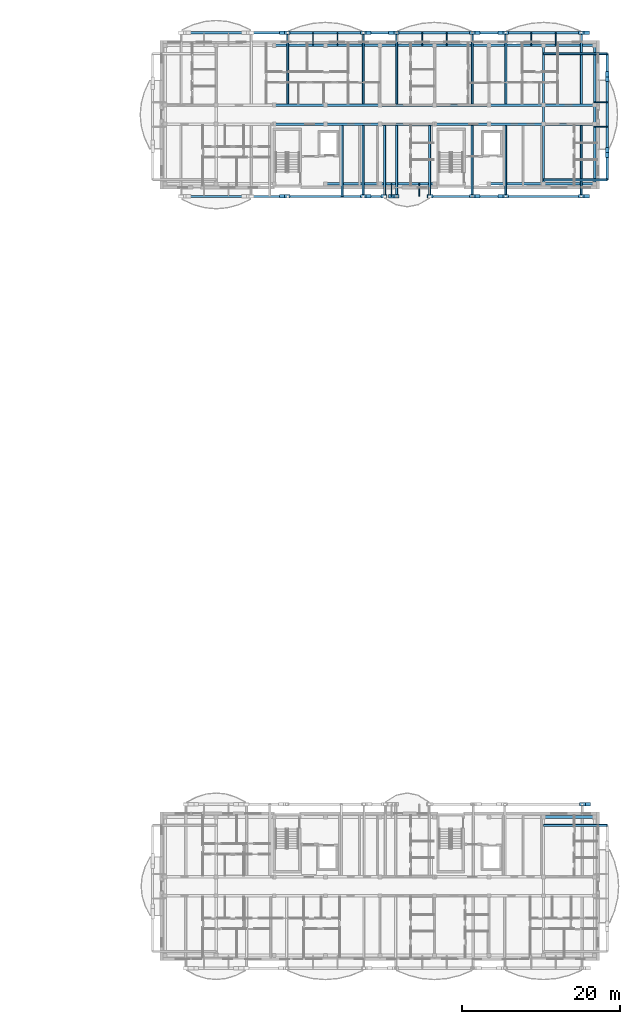
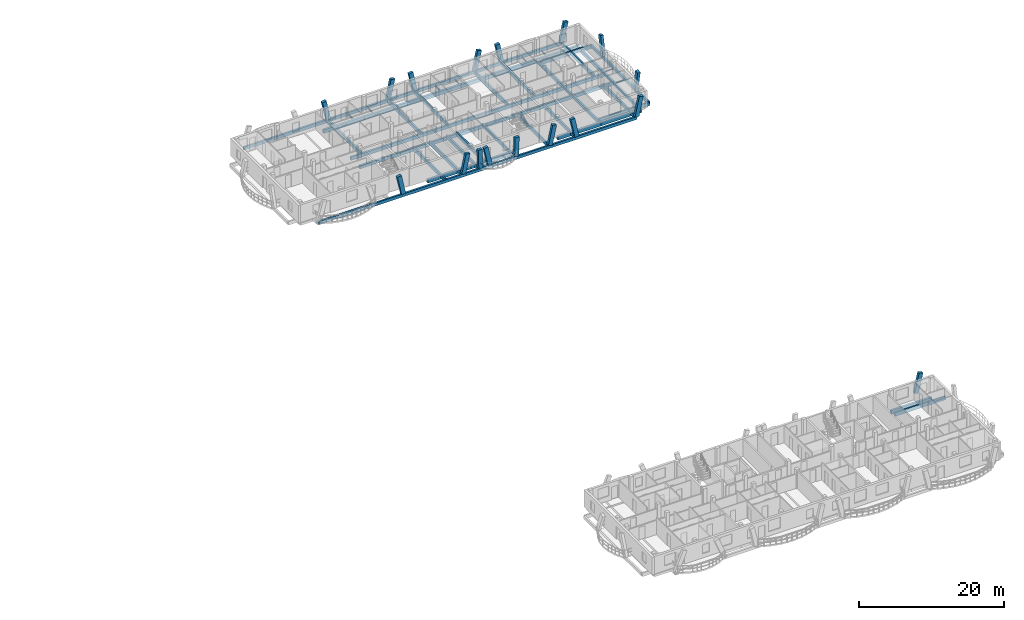
# One storey, part 8 of 50: 59 beams, 17 members.
"""IFC4 building model written with IfcOpenShell, lengths in metres."""

import ifcopenshell
import ifcopenshell.guid

model = None  # the IFC model being written
_history = None  # IfcOwnerHistory: only IFC2X3 demands one
_inside = {}  # id of a spatial element -> (the spatial element, [elements in it])
_under = {}  # id of a project, library or spatial element -> (it, [spatial elements below it])
_declared = {}  # id of a project -> (the project, [libraries it declares])
_typed = {}  # id of a type object -> (the type object, [elements of that type])
_made_of = {}  # id of a material, layer set ... -> (it, [elements and type objects made of it])


def new_model(schema):
    """Start an empty IFC model of exactly this schema.

    Asked for "IFC4X3", IfcOpenShell would pick the latest addendum, in which some entities
    have other attributes; the version numbers below select the first issue.
    IFC2X3 requires an IfcOwnerHistory on every rooted entity: one is made here for all.
    """
    global model, _history
    if schema == "IFC4X3":
        model = ifcopenshell.file(schema_version=(4, 3, 0, 0))
    else:
        model = ifcopenshell.file(schema=schema)
    _inside.clear()
    _under.clear()
    _declared.clear()
    _typed.clear()
    _made_of.clear()
    _history = None
    if model.schema == "IFC2X3":
        org = make("IfcOrganization", Name="unknown")
        user = make(
            "IfcPersonAndOrganization",
            ThePerson=make("IfcPerson", FamilyName="unknown"),
            TheOrganization=org,
        )
        app = make(
            "IfcApplication",
            ApplicationDeveloper=org,
            Version="unknown",
            ApplicationFullName="unknown",
            ApplicationIdentifier="unknown",
        )
        _history = make(
            "IfcOwnerHistory",
            OwningUser=user,
            OwningApplication=app,
            ChangeAction="ADDED",
            CreationDate=0,
        )
    return model


def make(cls, **values):
    """One entity of the class cls with the attributes given. An attribute that is None is left unset."""
    return model.create_entity(
        cls, **{name: value for name, value in values.items() if value is not None}
    )


def rooted(cls, **values):
    """An entity with a GlobalId (a new one), such as an element, a storey or a relation."""
    return make(cls, GlobalId=ifcopenshell.guid.new(), OwnerHistory=_history, **values)


def si_unit(unit_type, name, prefix=None):
    """IfcSIUnit, for example si_unit("LENGTHUNIT", "METRE", prefix="MILLI")."""
    return make("IfcSIUnit", UnitType=unit_type, Prefix=prefix, Name=name)


def assignment(units):
    """IfcUnitAssignment: the units of a project."""
    return None if units is None else make("IfcUnitAssignment", Units=units)


def point(xyz):
    """IfcCartesianPoint."""
    return None if xyz is None else make("IfcCartesianPoint", Coordinates=xyz)


def direction(xyz):
    """IfcDirection."""
    return None if xyz is None else make("IfcDirection", DirectionRatios=xyz)


def frame(location, z_axis=None, x_axis=None):
    """IfcAxis2Placement3D, a coordinate frame: its origin and axes. An axis left out is left unset."""
    return make(
        "IfcAxis2Placement3D",
        Location=point(location),
        Axis=direction(z_axis),
        RefDirection=direction(x_axis),
    )


def frame_2d(location, x_axis=None):
    """IfcAxis2Placement2D, a coordinate frame in the plane: its origin and x axis."""
    return make(
        "IfcAxis2Placement2D", Location=point(location), RefDirection=direction(x_axis)
    )


def origin():
    """The frame at (0, 0, 0) with its axes left unset."""
    return frame((0.0, 0.0, 0.0))


def origin_2d():
    """The frame at (0, 0) in the plane with its x axis left unset."""
    return frame_2d((0.0, 0.0))


def place(relative_to, where):
    """IfcLocalPlacement: puts the frame where relative to a parent placement (None: the world)."""
    return make(
        "IfcLocalPlacement", PlacementRelTo=relative_to, RelativePlacement=where
    )


def context(
    kind, dimensions, precision=None, world=None, true_north=None, identifier=None
):
    """IfcGeometricRepresentationContext, for example the 3D "Model" context."""
    return make(
        "IfcGeometricRepresentationContext",
        ContextIdentifier=identifier,
        ContextType=kind,
        CoordinateSpaceDimension=dimensions,
        Precision=precision,
        WorldCoordinateSystem=world,
        TrueNorth=true_north,
    )


def subcontext(parent, identifier, kind, view, scale=None):
    """IfcGeometricRepresentationSubContext, for example "Body" below "Model"."""
    return make(
        "IfcGeometricRepresentationSubContext",
        ContextIdentifier=identifier,
        ContextType=kind,
        ParentContext=parent,
        TargetScale=scale,
        TargetView=view,
    )


def project(units=None, contexts=None):
    """IfcProject with its units and contexts."""
    return rooted(
        "IfcProject",
        Name="project",
        RepresentationContexts=contexts,
        UnitsInContext=assignment(units),
    )


def spatial(cls, under=None, at=None, **own):
    """A site, building, storey or space (cls), placed at a placement, below another one or the project."""
    s = rooted(cls, ObjectPlacement=at, **own)
    if under is not None:
        _under.setdefault(under.id(), (under, []))[1].append(s)
    return s


def profile(cls, at=None, kind="AREA", **sizes):
    """A parametric profile (cls). Its sizes go by their IFC names, for example OverallWidth=200.0."""
    return make(cls, ProfileType=kind, Position=at, **sizes)


def rectangle(**sizes):
    """IfcRectangleProfileDef."""
    return profile("IfcRectangleProfileDef", **sizes)


def i_section(**sizes):
    """IfcIShapeProfileDef."""
    return profile("IfcIShapeProfileDef", **sizes)


def extrude(swept, where, along, depth):
    """IfcExtrudedAreaSolid: the profile swept, set in the frame where, extruded along a direction by depth."""
    return make(
        "IfcExtrudedAreaSolid",
        SweptArea=swept,
        Position=where,
        ExtrudedDirection=direction(along),
        Depth=depth,
    )


def shape(context_of_items, identifier, shape_type, items):
    """IfcShapeRepresentation: the items that make up one representation, for example the "Body"."""
    return make(
        "IfcShapeRepresentation",
        ContextOfItems=context_of_items,
        RepresentationIdentifier=identifier,
        RepresentationType=shape_type,
        Items=items,
    )


def material(Name=None, Category=None):
    """IfcMaterial."""
    return make("IfcMaterial", Name=Name, Category=Category)


def material_profile(
    of_material, cross_section, Name=None, Category=None, Priority=None
):
    """IfcMaterialProfile: a cross section and its material."""
    return make(
        "IfcMaterialProfile",
        Name=Name,
        Material=of_material,
        Profile=cross_section,
        Priority=Priority,
        Category=Category,
    )


def profile_set(profiles, Name=None, composite=None):
    """IfcMaterialProfileSet."""
    return make(
        "IfcMaterialProfileSet",
        Name=Name,
        MaterialProfiles=profiles,
        CompositeProfile=composite,
    )


def made_of(thing, what):
    """Note that an element or type object is made of a material, layer set ...; save() writes the relation."""
    if what is not None:
        _made_of.setdefault(what.id(), (what, []))[1].append(thing)
    return thing


def type_object(cls, material=None, **own):
    """A type object (cls), such as IfcWallType, which elements share."""
    return made_of(rooted(cls, **own), material)


def element(
    cls,
    number,
    at=None,
    inside=None,
    cuts=None,
    type_object=None,
    material=None,
    context=None,
    identifier="Body",
    shape_type=None,
    held_by="IfcProductDefinitionShape",
    body=None,
    shapes=None,
    **own,
):
    """One element of the class cls, such as IfcWall. Its Tag is "e" and its number.

    at: its placement. inside: the storey or other place that contains it. cuts: it is an
    opening in that element (IfcRelVoidsElement). A single representation is given by context,
    identifier, shape_type and body (its items); several are given by shapes. held_by: the class
    of the entity that holds the representations. save() writes the other relations.
    """
    e = rooted(cls, Tag="e%d" % number, ObjectPlacement=at, **own)
    if body is not None:
        shapes = [shape(context, identifier, shape_type, body)]
    if shapes is not None:
        e.Representation = make(held_by, Representations=shapes)
    if inside is not None:
        _inside.setdefault(inside.id(), (inside, []))[1].append(e)
    if cuts is not None:
        rooted(
            "IfcRelVoidsElement", RelatingBuildingElement=cuts, RelatedOpeningElement=e
        )
    if type_object is not None:
        _typed.setdefault(type_object.id(), (type_object, []))[1].append(e)
    return made_of(e, material)


def aggregate(whole, parts):
    """IfcRelAggregates: a whole, such as a stair, and the parts it consists of."""
    return rooted("IfcRelAggregates", RelatingObject=whole, RelatedObjects=parts)


def save(model, path):
    """Write the relations noted so far, then the file.

    IfcRelAggregates (storeys below a building ...), IfcRelContainedInSpatialStructure (elements
    in a storey), IfcRelDefinesByType, IfcRelAssociatesMaterial and IfcRelDeclares: one each for
    every whole, place, type object, material and project.
    """
    for whole, parts in _under.values():
        aggregate(whole, parts)
    for where, things in _inside.values():
        rooted(
            "IfcRelContainedInSpatialStructure",
            RelatedElements=things,
            RelatingStructure=where,
        )
    for kind, things in _typed.values():
        rooted("IfcRelDefinesByType", RelatedObjects=things, RelatingType=kind)
    for what, things in _made_of.values():
        rooted("IfcRelAssociatesMaterial", RelatedObjects=things, RelatingMaterial=what)
    for by, libraries in _declared.values():
        rooted("IfcRelDeclares", RelatingContext=by, RelatedDefinitions=libraries)
    model.write(path)


model = new_model("IFC4")

# Units and contexts
model_context = context("Model", 3, precision=1e-05, world=origin(), true_north=direction((0.0, 1.0)))
body_context = subcontext(model_context, "Body", "Model", "MODEL_VIEW")
ifc_project = project(units=[si_unit("LENGTHUNIT", "METRE"), si_unit("AREAUNIT", "SQUARE_METRE"), si_unit("VOLUMEUNIT", "CUBIC_METRE"), si_unit("PLANEANGLEUNIT", "RADIAN"), si_unit("MASSUNIT", "GRAM", prefix="KILO")], contexts=[model_context])

# Site, building, storey
site_placement = place(None, origin())
site = spatial("IfcSite", under=ifc_project, at=site_placement, CompositionType="ELEMENT")
building_placement = place(site_placement, origin())
building = spatial("IfcBuilding", under=site, at=building_placement, Name="Zavelmont Quarter", CompositionType="ELEMENT")
storey_placement = place(building_placement, frame((0.0, 0.0, 11.199951171875)))
storey = spatial("IfcBuildingStorey", under=building, at=storey_placement, Name="L03", CompositionType="ELEMENT", Elevation=11.199951171875)

# Beams
ifc_material_1 = material(Name="Concrete C35/45", Category="concrete")
ifc_material_profile_1 = material_profile(ifc_material_1, rectangle(XDim=0.35009765625, YDim=0.60009765625, at=origin_2d()), Name="RC350X600")
ifc_profile_set_1 = profile_set([ifc_material_profile_1], Name="Concrete C35/45")
beam_type_1 = type_object("IfcBeamType", Name="BM01", PredefinedType="SPANDREL", material=ifc_profile_set_1)
beam_1_placement = place(storey_placement, frame((133.5, 98.0400390625, -0.56005859375), z_axis=(1.0, 0.0, 0.0), x_axis=(0.0, 1.0, 0.0)))
element("IfcBeam", 1, at=beam_1_placement, inside=storey, type_object=beam_type_1, Name="L03 beam BM01 20/P to 21/P", PredefinedType="SPANDREL", context=body_context, shape_type="SweptSolid", body=[
    extrude(rectangle(XDim=0.35009765625, YDim=0.60009765625, at=origin_2d()), origin(), (0.0, 0.0, 1.0), 6.89990234375),
])
for number, where, z_axis, x_axis, name in (
    (2, (140.39990234375, 98.0400390625, -0.56005859375), (1.0, 0.0, 0.0), (0.0, 1.0, 0.0), "L03 beam BM01 21/P to 22/P"),
    (3, (154.199951171875, 98.0400390625, -0.56005859375), (1.0, 0.0, 0.0), (0.0, 1.0, 0.0), "L03 beam BM01 23/P to 24/P"),
):
    element("IfcBeam", number, at=place(storey_placement, frame(where, z_axis=z_axis, x_axis=x_axis)), inside=storey, type_object=beam_type_1, Name=name, PredefinedType="SPANDREL", context=body_context, shape_type="SweptSolid", body=[
        extrude(rectangle(XDim=0.35009765625, YDim=0.60009765625, at=origin_2d()), origin(), (0.0, 0.0, 1.0), 6.900146484375),
    ])
for number, where, z_axis, x_axis, name in (
    (4, (161.10009765625, 98.0400390625, -0.56005859375), (1.0, 0.0, 0.0), (0.0, 1.0, 0.0), "L03 beam BM01 24/P to 25/P"),
    (5, (127.0400390625, 115.56005859375, -0.56005859375), (1.0, 0.0, 0.0), (0.0, 1.0, 0.0), "L03 beam BM01 19/S to 20/S"),
):
    element("IfcBeam", number, at=place(storey_placement, frame(where, z_axis=z_axis, x_axis=x_axis)), inside=storey, type_object=beam_type_1, Name=name, PredefinedType="SPANDREL", context=body_context, shape_type="SweptSolid", body=[
        extrude(rectangle(XDim=0.35009765625, YDim=0.60009765625, at=origin_2d()), origin(), (0.0, 0.0, 1.0), 6.4599609375),
    ])
beam_2_placement = place(storey_placement, frame((133.5, 115.56005859375, -0.56005859375), z_axis=(1.0, 0.0, 0.0), x_axis=(0.0, 1.0, 0.0)))
element("IfcBeam", 6, at=beam_2_placement, inside=storey, type_object=beam_type_1, Name="L03 beam BM01 20/S to 21/S", PredefinedType="SPANDREL", context=body_context, shape_type="SweptSolid", body=[
    extrude(rectangle(XDim=0.35009765625, YDim=0.60009765625, at=origin_2d()), origin(), (0.0, 0.0, 1.0), 6.89990234375),
])
beam_3_placement = place(storey_placement, frame((140.39990234375, 115.56005859375, -0.56005859375), z_axis=(1.0, 0.0, 0.0), x_axis=(0.0, 1.0, 0.0)))
element("IfcBeam", 7, at=beam_3_placement, inside=storey, type_object=beam_type_1, Name="L03 beam BM01 21/S to 22/S", PredefinedType="SPANDREL", context=body_context, shape_type="SweptSolid", body=[
    extrude(rectangle(XDim=0.35009765625, YDim=0.60009765625, at=origin_2d()), origin(), (0.0, 0.0, 1.0), 6.900146484375),
])
beam_4_placement = place(storey_placement, frame((147.300048828125, 115.56005859375, -0.56005859375), z_axis=(1.0, 0.0, 0.0), x_axis=(0.0, 1.0, 0.0)))
element("IfcBeam", 8, at=beam_4_placement, inside=storey, type_object=beam_type_1, Name="L03 beam BM01 22/S to 23/S", PredefinedType="SPANDREL", context=body_context, shape_type="SweptSolid", body=[
    extrude(rectangle(XDim=0.35009765625, YDim=0.60009765625, at=origin_2d()), origin(), (0.0, 0.0, 1.0), 6.89990234375),
])
beam_5_placement = place(storey_placement, frame((154.199951171875, 115.56005859375, -0.56005859375), z_axis=(1.0, 0.0, 0.0), x_axis=(0.0, 1.0, 0.0)))
element("IfcBeam", 9, at=beam_5_placement, inside=storey, type_object=beam_type_1, Name="L03 beam BM01 23/S to 24/S", PredefinedType="SPANDREL", context=body_context, shape_type="SweptSolid", body=[
    extrude(rectangle(XDim=0.35009765625, YDim=0.60009765625, at=origin_2d()), origin(), (0.0, 0.0, 1.0), 6.900146484375),
])
for number, where, z_axis, x_axis, name in (
    (10, (161.10009765625, 115.56005859375, -0.56005859375), (1.0, 0.0, 0.0), (0.0, 1.0, 0.0), "L03 beam BM01 24/S to 25/S"),
    (11, (161.10009765625, 17.9599609375, -0.56005859375), (1.0, 0.0, 0.0), (0.0, 1.0, 0.0), "L03 beam BM01 24/D to 25/D"),
):
    element("IfcBeam", number, at=place(storey_placement, frame(where, z_axis=z_axis, x_axis=x_axis)), inside=storey, type_object=beam_type_1, Name=name, PredefinedType="SPANDREL", context=body_context, shape_type="SweptSolid", body=[
        extrude(rectangle(XDim=0.35009765625, YDim=0.60009765625, at=origin_2d()), origin(), (0.0, 0.0, 1.0), 6.4599609375),
    ])
ifc_material_profile_2 = material_profile(ifc_material_1, rectangle(XDim=0.300048828125, YDim=0.550048828125, at=origin_2d()), Name="RC300X550")
ifc_profile_set_2 = profile_set([ifc_material_profile_2], Name="Concrete C35/45")
beam_type_2 = type_object("IfcBeamType", Name="BM02", PredefinedType="SPANDREL", material=ifc_profile_set_2)
beam_6_placement = place(storey_placement, frame((127.0400390625, 105.60009765625, -0.534912109375), z_axis=(1.0, 0.0, 0.0), x_axis=(0.0, 1.0, 0.0)))
element("IfcBeam", 12, at=beam_6_placement, inside=storey, type_object=beam_type_2, Name="L03 beam BM02 19/Q to 20/Q", PredefinedType="SPANDREL", context=body_context, shape_type="SweptSolid", body=[
    extrude(rectangle(XDim=0.300048828125, YDim=0.550048828125, at=origin_2d()), origin(), (0.0, 0.0, 1.0), 6.4599609375),
])
beam_7_placement = place(storey_placement, frame((133.5, 105.60009765625, -0.534912109375), z_axis=(1.0, 0.0, 0.0), x_axis=(0.0, 1.0, 0.0)))
element("IfcBeam", 13, at=beam_7_placement, inside=storey, type_object=beam_type_2, Name="L03 beam BM02 20/Q to 21/Q", PredefinedType="SPANDREL", context=body_context, shape_type="SweptSolid", body=[
    extrude(rectangle(XDim=0.300048828125, YDim=0.550048828125, at=origin_2d()), origin(), (0.0, 0.0, 1.0), 6.89990234375),
])
beam_8_placement = place(storey_placement, frame((140.39990234375, 105.60009765625, -0.534912109375), z_axis=(1.0, 0.0, 0.0), x_axis=(0.0, 1.0, 0.0)))
element("IfcBeam", 14, at=beam_8_placement, inside=storey, type_object=beam_type_2, Name="L03 beam BM02 21/Q to 22/Q", PredefinedType="SPANDREL", context=body_context, shape_type="SweptSolid", body=[
    extrude(rectangle(XDim=0.300048828125, YDim=0.550048828125, at=origin_2d()), origin(), (0.0, 0.0, 1.0), 6.900146484375),
])
beam_9_placement = place(storey_placement, frame((147.300048828125, 105.60009765625, -0.534912109375), z_axis=(1.0, 0.0, 0.0), x_axis=(0.0, 1.0, 0.0)))
element("IfcBeam", 15, at=beam_9_placement, inside=storey, type_object=beam_type_2, Name="L03 beam BM02 22/Q to 23/Q", PredefinedType="SPANDREL", context=body_context, shape_type="SweptSolid", body=[
    extrude(rectangle(XDim=0.300048828125, YDim=0.550048828125, at=origin_2d()), origin(), (0.0, 0.0, 1.0), 6.89990234375),
])
beam_10_placement = place(storey_placement, frame((154.199951171875, 105.60009765625, -0.534912109375), z_axis=(1.0, 0.0, 0.0), x_axis=(0.0, 1.0, 0.0)))
element("IfcBeam", 16, at=beam_10_placement, inside=storey, type_object=beam_type_2, Name="L03 beam BM02 23/Q to 24/Q", PredefinedType="SPANDREL", context=body_context, shape_type="SweptSolid", body=[
    extrude(rectangle(XDim=0.300048828125, YDim=0.550048828125, at=origin_2d()), origin(), (0.0, 0.0, 1.0), 6.900146484375),
])
for number, where, z_axis, x_axis, name in (
    (17, (161.10009765625, 105.60009765625, -0.534912109375), (1.0, 0.0, 0.0), (0.0, 1.0, 0.0), "L03 beam BM02 24/Q to 25/Q"),
    (18, (127.0400390625, 108.0, -0.534912109375), (1.0, 0.0, 0.0), (0.0, 1.0, 0.0), "L03 beam BM02 19/R to 20/R"),
):
    element("IfcBeam", number, at=place(storey_placement, frame(where, z_axis=z_axis, x_axis=x_axis)), inside=storey, type_object=beam_type_2, Name=name, PredefinedType="SPANDREL", context=body_context, shape_type="SweptSolid", body=[
        extrude(rectangle(XDim=0.300048828125, YDim=0.550048828125, at=origin_2d()), origin(), (0.0, 0.0, 1.0), 6.4599609375),
    ])
beam_11_placement = place(storey_placement, frame((133.5, 108.0, -0.534912109375), z_axis=(1.0, 0.0, 0.0), x_axis=(0.0, 1.0, 0.0)))
element("IfcBeam", 19, at=beam_11_placement, inside=storey, type_object=beam_type_2, Name="L03 beam BM02 20/R to 21/R", PredefinedType="SPANDREL", context=body_context, shape_type="SweptSolid", body=[
    extrude(rectangle(XDim=0.300048828125, YDim=0.550048828125, at=origin_2d()), origin(), (0.0, 0.0, 1.0), 6.89990234375),
])
beam_12_placement = place(storey_placement, frame((140.39990234375, 108.0, -0.534912109375), z_axis=(1.0, 0.0, 0.0), x_axis=(0.0, 1.0, 0.0)))
element("IfcBeam", 20, at=beam_12_placement, inside=storey, type_object=beam_type_2, Name="L03 beam BM02 21/R to 22/R", PredefinedType="SPANDREL", context=body_context, shape_type="SweptSolid", body=[
    extrude(rectangle(XDim=0.300048828125, YDim=0.550048828125, at=origin_2d()), origin(), (0.0, 0.0, 1.0), 6.900146484375),
])
beam_13_placement = place(storey_placement, frame((147.300048828125, 108.0, -0.534912109375), z_axis=(1.0, 0.0, 0.0), x_axis=(0.0, 1.0, 0.0)))
element("IfcBeam", 21, at=beam_13_placement, inside=storey, type_object=beam_type_2, Name="L03 beam BM02 22/R to 23/R", PredefinedType="SPANDREL", context=body_context, shape_type="SweptSolid", body=[
    extrude(rectangle(XDim=0.300048828125, YDim=0.550048828125, at=origin_2d()), origin(), (0.0, 0.0, 1.0), 6.89990234375),
])
beam_14_placement = place(storey_placement, frame((154.199951171875, 108.0, -0.534912109375), z_axis=(1.0, 0.0, 0.0), x_axis=(0.0, 1.0, 0.0)))
element("IfcBeam", 22, at=beam_14_placement, inside=storey, type_object=beam_type_2, Name="L03 beam BM02 23/R to 24/R", PredefinedType="SPANDREL", context=body_context, shape_type="SweptSolid", body=[
    extrude(rectangle(XDim=0.300048828125, YDim=0.550048828125, at=origin_2d()), origin(), (0.0, 0.0, 1.0), 6.900146484375),
])
beam_15_placement = place(storey_placement, frame((161.10009765625, 108.0, -0.534912109375), z_axis=(1.0, 0.0, 0.0), x_axis=(0.0, 1.0, 0.0)))
element("IfcBeam", 23, at=beam_15_placement, inside=storey, type_object=beam_type_2, Name="L03 beam BM02 24/R to 25/R", PredefinedType="SPANDREL", context=body_context, shape_type="SweptSolid", body=[
    extrude(rectangle(XDim=0.300048828125, YDim=0.550048828125, at=origin_2d()), origin(), (0.0, 0.0, 1.0), 6.4599609375),
])
beam_16_placement = place(storey_placement, frame((161.10009765625, 98.0400390625, -0.534912109375), z_axis=(0.0, 1.0, 0.0), x_axis=(-1.0, 0.0, 0.0)))
element("IfcBeam", 24, at=beam_16_placement, inside=storey, type_object=beam_type_2, Name="L03 beam BM02 24/P to 24/Q", PredefinedType="SPANDREL", context=body_context, shape_type="SweptSolid", body=[
    extrude(rectangle(XDim=0.300048828125, YDim=0.550048828125, at=origin_2d()), origin(), (0.0, 0.0, 1.0), 7.56005859375),
])
beam_17_placement = place(storey_placement, frame((161.10009765625, 105.60009765625, -0.534912109375), z_axis=(0.0, 1.0, 0.0), x_axis=(-1.0, 0.0, 0.0)))
element("IfcBeam", 25, at=beam_17_placement, inside=storey, type_object=beam_type_2, Name="L03 beam BM02 24/Q to 24/R", PredefinedType="SPANDREL", context=body_context, shape_type="SweptSolid", body=[
    extrude(rectangle(XDim=0.300048828125, YDim=0.550048828125, at=origin_2d()), origin(), (0.0, 0.0, 1.0), 2.39990234375),
])
for number, where, z_axis, x_axis, name in (
    (26, (161.10009765625, 108.0, -0.534912109375), (0.0, 1.0, 0.0), (-1.0, 0.0, 0.0), "L03 beam BM02 24/R to 24/S"),
    (27, (167.56005859375, 98.0400390625, -0.534912109375), (0.0, 1.0, 0.0), (-1.0, 0.0, 0.0), "L03 beam BM02 25/P to 25/Q"),
):
    element("IfcBeam", number, at=place(storey_placement, frame(where, z_axis=z_axis, x_axis=x_axis)), inside=storey, type_object=beam_type_2, Name=name, PredefinedType="SPANDREL", context=body_context, shape_type="SweptSolid", body=[
        extrude(rectangle(XDim=0.300048828125, YDim=0.550048828125, at=origin_2d()), origin(), (0.0, 0.0, 1.0), 7.56005859375),
    ])
beam_18_placement = place(storey_placement, frame((167.56005859375, 105.60009765625, -0.534912109375), z_axis=(0.0, 1.0, 0.0), x_axis=(-1.0, 0.0, 0.0)))
element("IfcBeam", 28, at=beam_18_placement, inside=storey, type_object=beam_type_2, Name="L03 beam BM02 25/Q to 25/R", PredefinedType="SPANDREL", context=body_context, shape_type="SweptSolid", body=[
    extrude(rectangle(XDim=0.300048828125, YDim=0.550048828125, at=origin_2d()), origin(), (0.0, 0.0, 1.0), 2.39990234375),
])
beam_19_placement = place(storey_placement, frame((167.56005859375, 108.0, -0.534912109375), z_axis=(0.0, 1.0, 0.0), x_axis=(-1.0, 0.0, 0.0)))
element("IfcBeam", 29, at=beam_19_placement, inside=storey, type_object=beam_type_2, Name="L03 beam BM02 25/R to 25/S", PredefinedType="SPANDREL", context=body_context, shape_type="SweptSolid", body=[
    extrude(rectangle(XDim=0.300048828125, YDim=0.550048828125, at=origin_2d()), origin(), (0.0, 0.0, 1.0), 7.56005859375),
])
ifc_material_profile_3 = material_profile(ifc_material_1, rectangle(XDim=0.300048828125, YDim=0.5, at=origin_2d()), Name="RC300X500")
ifc_profile_set_3 = profile_set([ifc_material_profile_3], Name="Concrete C35/45")
beam_type_3 = type_object("IfcBeamType", Name="BM03", PredefinedType="BEAM", material=ifc_profile_set_3)
for number, where, z_axis, x_axis, name in (
    (30, (115.2470703125, 117.14990234375, -0.25), (1.0, 0.0, 0.0), (0.0, 1.0, 0.0), "L03 beam BM03 17/S to 25/S"),
    (31, (115.2470703125, 96.449951171875, -0.25), (1.0, 0.0, 0.0), (0.0, 1.0, 0.0), "L03 beam BM03 17/P to 25/P"),
):
    element("IfcBeam", number, at=place(storey_placement, frame(where, z_axis=z_axis, x_axis=x_axis)), inside=storey, type_object=beam_type_3, Name=name, PredefinedType="BEAM", context=body_context, shape_type="SweptSolid", body=[
        extrude(rectangle(XDim=0.300048828125, YDim=0.5, at=origin_2d()), origin(), (0.0, 0.0, 1.0), 50.626953125),
    ])
beam_20_placement = place(storey_placement, frame((169.14990234375, 98.550048828125, -0.25), z_axis=(0.0, 1.0, 0.0), x_axis=(-1.0, 0.0, 0.0)))
element("IfcBeam", 32, at=beam_20_placement, inside=storey, type_object=beam_type_3, Name="L03 beam BM03 25/P to 25/S", PredefinedType="BEAM", context=body_context, shape_type="SweptSolid", body=[
    extrude(rectangle(XDim=0.300048828125, YDim=0.5, at=origin_2d()), origin(), (0.0, 0.0, 1.0), 15.949951171875),
])
ifc_material_2 = material(Name="Steel S355", Category="steel")
ifc_material_profile_4 = material_profile(ifc_material_2, i_section(OverallWidth=0.110107421875, OverallDepth=0.219970703125, WebThickness=0.005859375, FlangeThickness=0.00927734375, at=origin_2d()), Name="IPE 220")
ifc_profile_set_4 = profile_set([ifc_material_profile_4], Name="Steel S355")
beam_type_4 = type_object("IfcBeamType", Name="BM15", PredefinedType="JOIST", material=ifc_profile_set_4)
for number, where, z_axis, x_axis, name in (
    (33, (131.949951171875, 115.56005859375, -0.3720703125), (0.0, 1.0, 0.0), (-1.0, 0.0, 0.0), "L03 beam BM15 20/S to 20/S"),
    (34, (135.050048828125, 115.56005859375, -0.3720703125), (0.0, 1.0, 0.0), (-1.0, 0.0, 0.0), "L03 beam BM15 20/S to 20/S"),
    (35, (145.75, 115.56005859375, -0.3720703125), (0.0, 1.0, 0.0), (-1.0, 0.0, 0.0), "L03 beam BM15 22/S to 22/S"),
    (36, (148.85009765625, 115.56005859375, -0.3720703125), (0.0, 1.0, 0.0), (-1.0, 0.0, 0.0), "L03 beam BM15 22/S to 22/S"),
    (37, (159.550048828125, 115.56005859375, -0.3720703125), (0.0, 1.0, 0.0), (-1.0, 0.0, 0.0), "L03 beam BM15 24/S to 24/S"),
    (38, (162.64990234375, 115.56005859375, -0.3720703125), (0.0, 1.0, 0.0), (-1.0, 0.0, 0.0), "L03 beam BM15 24/S to 24/S"),
    (39, (167.56005859375, 105.25, -0.3720703125), (1.0, 0.0, 0.0), (0.0, 1.0, 0.0), "L03 beam BM15 25/Q to 25/Q"),
    (40, (167.56005859375, 108.35009765625, -0.3720703125), (1.0, 0.0, 0.0), (0.0, 1.0, 0.0), "L03 beam BM15 25/R to 25/R"),
):
    element("IfcBeam", number, at=place(storey_placement, frame(where, z_axis=z_axis, x_axis=x_axis)), inside=storey, type_object=beam_type_4, Name=name, PredefinedType="JOIST", context=body_context, shape_type="SweptSolid", body=[
        extrude(i_section(OverallWidth=0.110107421875, OverallDepth=0.219970703125, WebThickness=0.005859375, FlangeThickness=0.00927734375, at=origin_2d()), origin(), (0.0, 0.0, 1.0), 1.58984375),
    ])
for number, where, z_axis, x_axis, name in (
    (41, (141.8798828125, 98.0400390625, -0.3720703125), (0.0, -1.0, 0.0), (1.0, 0.0, 0.0), "L03 beam BM15 21/P to 21/P"),
    (42, (145.39990234375, 98.0400390625, -0.3720703125), (0.0, -1.0, 0.0), (1.0, 0.0, 0.0), "L03 beam BM15 22/P to 22/P"),
):
    element("IfcBeam", number, at=place(storey_placement, frame(where, z_axis=z_axis, x_axis=x_axis)), inside=storey, type_object=beam_type_4, Name=name, PredefinedType="JOIST", context=body_context, shape_type="SweptSolid", body=[
        extrude(i_section(OverallWidth=0.110107421875, OverallDepth=0.219970703125, WebThickness=0.005859375, FlangeThickness=0.00927734375, at=origin_2d()), origin(), (0.0, 0.0, 1.0), 1.590087890625),
    ])
ifc_material_3 = material(Name="Concrete C40/50", Category="concrete")
ifc_material_profile_5 = material_profile(ifc_material_3, rectangle(XDim=0.25, YDim=0.60009765625, at=origin_2d()), Name="RC250X600")
ifc_profile_set_5 = profile_set([ifc_material_profile_5], Name="Concrete C40/50")
beam_type_5 = type_object("IfcBeamType", Name="BM18", PredefinedType="BEAM", material=ifc_profile_set_5)
for number, where, z_axis, x_axis, name in (
    (43, (128.726318359375, 108.0, -0.300048828125), (0.0, 1.0, 0.0), (-1.0, 0.0, 0.0), "L03 beam BM18 19/R to 19/S"),
    (44, (138.273681640625, 108.0, -0.300048828125), (0.0, 1.0, 0.0), (-1.0, 0.0, 0.0), "L03 beam BM18 21/R to 21/S"),
    (45, (142.5263671875, 108.0, -0.300048828125), (0.0, 1.0, 0.0), (-1.0, 0.0, 0.0), "L03 beam BM18 21/R to 21/S"),
    (46, (152.07373046875, 108.0, -0.300048828125), (0.0, 1.0, 0.0), (-1.0, 0.0, 0.0), "L03 beam BM18 23/R to 23/S"),
    (47, (156.326416015625, 108.0, -0.300048828125), (0.0, 1.0, 0.0), (-1.0, 0.0, 0.0), "L03 beam BM18 23/R to 23/S"),
    (48, (165.873779296875, 108.0, -0.300048828125), (0.0, 1.0, 0.0), (-1.0, 0.0, 0.0), "L03 beam BM18 25/R to 25/S"),
):
    element("IfcBeam", number, at=place(storey_placement, frame(where, z_axis=z_axis, x_axis=x_axis)), inside=storey, type_object=beam_type_5, Name=name, PredefinedType="BEAM", context=body_context, shape_type="SweptSolid", body=[
        extrude(rectangle(XDim=0.25, YDim=0.60009765625, at=origin_2d()), origin(), (0.0, 0.0, 1.0), 9.14990234375),
    ])
for number, where, z_axis, x_axis, name in (
    (49, (135.625, 105.60009765625, -0.300048828125), (0.0, -1.0, 0.0), (1.0, 0.0, 0.0), "L03 beam BM18 20/Q to 20/P"),
    (50, (138.273681640625, 105.60009765625, -0.300048828125), (0.0, -1.0, 0.0), (1.0, 0.0, 0.0), "L03 beam BM18 21/Q to 21/P"),
    (51, (142.5263671875, 105.60009765625, -0.300048828125), (0.0, -1.0, 0.0), (1.0, 0.0, 0.0), "L03 beam BM18 21/Q to 21/P"),
    (52, (152.07373046875, 105.60009765625, -0.300048828125), (0.0, -1.0, 0.0), (1.0, 0.0, 0.0), "L03 beam BM18 23/Q to 23/P"),
    (53, (156.326416015625, 105.60009765625, -0.300048828125), (0.0, -1.0, 0.0), (1.0, 0.0, 0.0), "L03 beam BM18 23/Q to 23/P"),
    (54, (165.873779296875, 105.60009765625, -0.300048828125), (0.0, -1.0, 0.0), (1.0, 0.0, 0.0), "L03 beam BM18 25/Q to 25/P"),
    (55, (141.004150390625, 105.60009765625, -0.300048828125), (0.0, -1.0, 0.0), (1.0, 0.0, 0.0), "L03 beam BM18 21/Q to 21/P"),
    (56, (146.69580078125, 105.60009765625, -0.300048828125), (0.0, -1.0, 0.0), (1.0, 0.0, 0.0), "L03 beam BM18 22/Q to 22/P"),
):
    element("IfcBeam", number, at=place(storey_placement, frame(where, z_axis=z_axis, x_axis=x_axis)), inside=storey, type_object=beam_type_5, Name=name, PredefinedType="BEAM", context=body_context, shape_type="SweptSolid", body=[
        extrude(rectangle(XDim=0.25, YDim=0.60009765625, at=origin_2d()), origin(), (0.0, 0.0, 1.0), 9.150146484375),
    ])
for number, where, z_axis, x_axis, name in (
    (57, (161.10009765625, 98.550048828125, -0.300048828125), (1.0, 0.0, 0.0), (0.0, 1.0, 0.0), "L03 beam BM18 24/P to 25/P"),
    (58, (161.10009765625, 114.5, -0.300048828125), (1.0, 0.0, 0.0), (0.0, 1.0, 0.0), "L03 beam BM18 24/S to 25/S"),
    (59, (161.10009765625, 16.89990234375, -0.300048828125), (1.0, 0.0, 0.0), (0.0, 1.0, 0.0), "L03 beam BM18 24/D to 25/D"),
):
    element("IfcBeam", number, at=place(storey_placement, frame(where, z_axis=z_axis, x_axis=x_axis)), inside=storey, type_object=beam_type_5, Name=name, PredefinedType="BEAM", context=body_context, shape_type="SweptSolid", body=[
        extrude(rectangle(XDim=0.25, YDim=0.60009765625, at=origin_2d()), origin(), (0.0, 0.0, 1.0), 8.0498046875),
    ])

# Members
ifc_material_4 = material(Name="White architectural precast concrete C40/50", Category="concrete")
ifc_material_profile_6 = material_profile(ifc_material_4, rectangle(XDim=0.43994140625, YDim=0.659912109375, at=origin_2d()), Name="PCR320X480")
ifc_profile_set_6 = profile_set([ifc_material_profile_6], Name="White architectural precast concrete C40/50")
member_type = type_object("IfcMemberType", Name="VR01M", PredefinedType="CHORD", material=ifc_profile_set_6)
for number, where, z_axis, x_axis, name in (
    (60, (128.726318359375, 117.14990234375, 0.0), (-0.209982452918, 0.0, 0.977705154669), (0.0, -1.0, 0.0), "L03 member VR01M 19/S to 19/S"),
    (61, (138.273681640625, 117.14990234375, 0.0), (0.209982452918, 0.0, 0.977705154669), (0.0, 1.0, 0.0), "L03 member VR01M 21/S to 21/S"),
    (62, (142.5263671875, 117.14990234375, 0.0), (-0.209982452918, 0.0, 0.977705154669), (0.0, -1.0, 0.0), "L03 member VR01M 21/S to 21/S"),
    (63, (152.07373046875, 117.14990234375, 0.0), (0.209982452918, 0.0, 0.977705154669), (0.0, 1.0, 0.0), "L03 member VR01M 23/S to 23/S"),
    (64, (156.326416015625, 117.14990234375, 0.0), (-0.210053756313, 0.0, 0.977689838067), (0.0, -1.0, 0.0), "L03 member VR01M 23/S to 23/S"),
    (65, (165.873779296875, 117.14990234375, 0.0), (0.209982452918, 0.0, 0.977705154669), (0.0, 1.0, 0.0), "L03 member VR01M 25/S to 25/S"),
    (66, (128.726318359375, 96.449951171875, 0.0), (-0.209982452918, 0.0, 0.977705154669), (0.0, -1.0, 0.0), "L03 member VR01M 19/P to 19/P"),
    (67, (138.273681640625, 96.449951171875, 0.0), (0.209982452918, 0.0, 0.977705154669), (0.0, 1.0, 0.0), "L03 member VR01M 21/P to 21/P"),
    (68, (142.5263671875, 96.449951171875, 0.0), (-0.209982452918, 0.0, 0.977705154669), (0.0, -1.0, 0.0), "L03 member VR01M 21/P to 21/P"),
    (69, (152.07373046875, 96.449951171875, 0.0), (0.209982452918, 0.0, 0.977705154669), (0.0, 1.0, 0.0), "L03 member VR01M 23/P to 23/P"),
    (70, (156.326416015625, 96.449951171875, 0.0), (-0.210053756313, 0.0, 0.977689838067), (0.0, -1.0, 0.0), "L03 member VR01M 23/P to 23/P"),
    (71, (165.873779296875, 96.449951171875, 0.0), (0.209982452918, 0.0, 0.977705154669), (0.0, 1.0, 0.0), "L03 member VR01M 25/P to 25/P"),
):
    element("IfcMember", number, at=place(storey_placement, frame(where, z_axis=z_axis, x_axis=x_axis)), inside=storey, type_object=member_type, Name=name, PredefinedType="CHORD", context=body_context, shape_type="SweptSolid", body=[
        extrude(rectangle(XDim=0.43994140625, YDim=0.659912109375, at=origin_2d()), origin(), (0.0, 0.0, 1.0), 3.27294921875),
    ])
for number, where, z_axis, x_axis, name in (
    (72, (141.004150390625, 96.449951171875, 0.0), (-0.032560737539, 0.0, 0.999469758607), (0.0, -1.0, 0.0), "L03 member VR01M 21/P to 21/P"),
    (73, (146.69580078125, 96.449951171875, 0.0), (0.032560737539, 0.0, 0.999469758607), (0.0, 1.0, 0.0), "L03 member VR01M 22/P to 22/P"),
):
    element("IfcMember", number, at=place(storey_placement, frame(where, z_axis=z_axis, x_axis=x_axis)), inside=storey, type_object=member_type, Name=name, PredefinedType="CHORD", context=body_context, shape_type="SweptSolid", body=[
        extrude(rectangle(XDim=0.43994140625, YDim=0.659912109375, at=origin_2d()), origin(), (0.0, 0.0, 1.0), 3.20166015625),
    ])
for number, where, z_axis, x_axis, name in (
    (74, (169.14990234375, 102.30615234375, 0.0), (0.0, -0.189383628701, 0.981903173017), (1.0, 0.0, 0.0), "L03 member VR01M 25/Q to 25/Q"),
    (75, (169.14990234375, 111.293701171875, 0.0), (0.0, 0.189383628701, 0.981903173017), (-1.0, 0.0, 0.0), "L03 member VR01M 25/R to 25/R"),
):
    element("IfcMember", number, at=place(storey_placement, frame(where, z_axis=z_axis, x_axis=x_axis)), inside=storey, type_object=member_type, Name=name, PredefinedType="CHORD", context=body_context, shape_type="SweptSolid", body=[
        extrude(rectangle(XDim=0.43994140625, YDim=0.659912109375, at=origin_2d()), origin(), (0.0, 0.0, 1.0), 3.259033203125),
    ])
member_placement = place(storey_placement, frame((165.9921875, 19.550048828125, 0.0), z_axis=(0.218585566321, 0.0, 0.975817785345), x_axis=(0.0, 1.0, 0.0)))
element("IfcMember", 76, at=member_placement, inside=storey, type_object=member_type, Name="L03 member VR01M 25/D to 25/D", PredefinedType="CHORD", context=body_context, shape_type="SweptSolid", body=[
    extrude(rectangle(XDim=0.43994140625, YDim=0.659912109375, at=origin_2d()), origin(), (0.0, 0.0, 1.0), 3.279296875),
])

save(model, "model.ifc")
